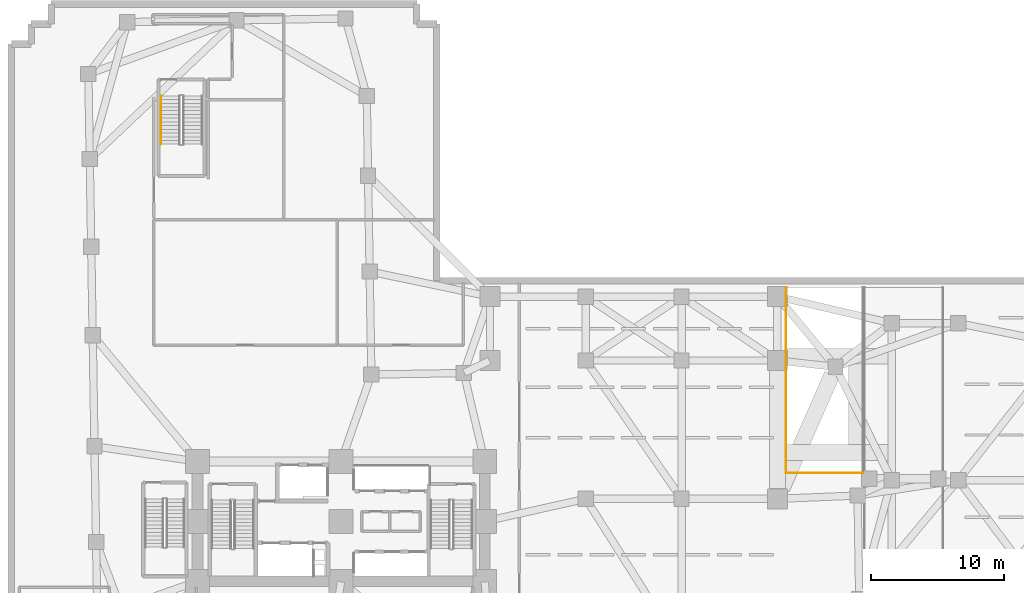
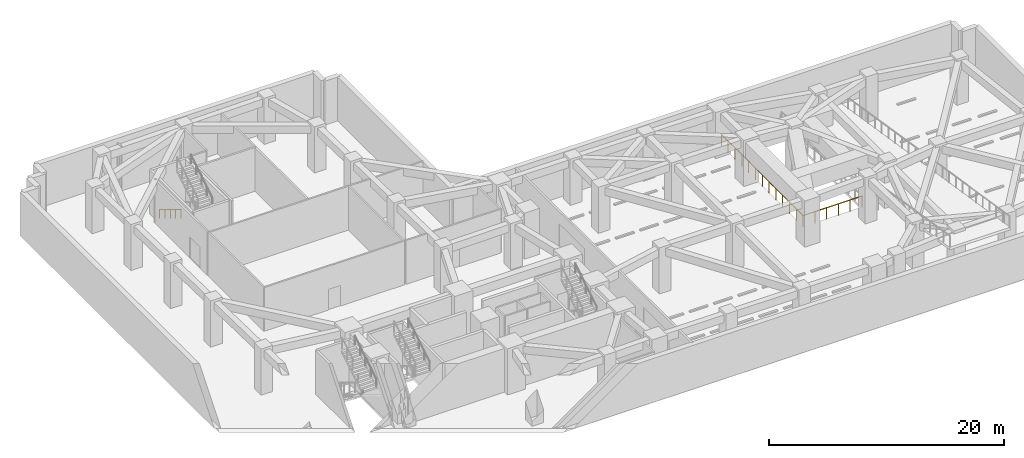
# One storey, part 9 of 11: 3 railings.
"""IFC4 building model written with IfcOpenShell, lengths in metres."""

from ifc_helpers import new_model, si_unit, direction, frame, origin, origin_2d, place, context, subcontext, project, spatial, circle, extrude, material, type_object, element, save


model = new_model("IFC4")

# Units and contexts
model_context = context("Model", 3, precision=1e-05, world=origin(), true_north=direction((0.0, 1.0)))
body_context = subcontext(model_context, "Body", "Model", "MODEL_VIEW")
ifc_project = project(units=[si_unit("LENGTHUNIT", "METRE"), si_unit("AREAUNIT", "SQUARE_METRE"), si_unit("VOLUMEUNIT", "CUBIC_METRE"), si_unit("PLANEANGLEUNIT", "RADIAN"), si_unit("MASSUNIT", "GRAM", prefix="KILO")], contexts=[model_context])

# Site, building, storey
site_placement = place(None, origin())
site = spatial("IfcSite", under=ifc_project, at=site_placement, CompositionType="ELEMENT")
building_placement = place(site_placement, origin())
building = spatial("IfcBuilding", under=site, at=building_placement, Name="Gaonmaruhae Medical Tower", CompositionType="ELEMENT")
storey_placement = place(building_placement, frame((0.0, 0.0, -4.800048828125)))
storey = spatial("IfcBuildingStorey", under=building, at=storey_placement, Name="B01", CompositionType="ELEMENT", Elevation=-4.800048828125)

# Railings
ifc_material_1 = material(Name="Stainless steel 304 handrail", Category="steel")
railing_type_1 = type_object("IfcRailingType", Name="HR-092 Continuous Stainless Steel Stair Handrail", PredefinedType="HANDRAIL", material=ifc_material_1)
railing_1_placement = place(storey_placement, frame((11.25, 44.300048828125, 0.17138671875)))
element("IfcRailing", 1, at=railing_1_placement, inside=storey, type_object=railing_type_1, Name="B01 ST-05 stair handrail 1", PredefinedType="HANDRAIL", context=body_context, shape_type="SweptSolid", body=[
    extrude(circle(Radius=0.02392578125, at=origin_2d()), frame((0.0, 0.0, 0.8759765625), z_axis=(0.0, -0.852840387347, 0.522171689878), x_axis=(1.0, 0.0, 0.0)), (0.0, 0.0, 1.0), 4.268310546875),
    extrude(circle(Radius=0.02099609375, at=origin_2d()), origin(), (0.0, 0.0, 1.0), 0.851806640625),
    extrude(circle(Radius=0.02099609375, at=origin_2d()), frame((0.0, -0.91015625, 0.55712890625)), (0.0, 0.0, 1.0), 0.851806640625),
    extrude(circle(Radius=0.02099609375, at=origin_2d()), frame((0.0, -1.820068359375, 1.1142578125)), (0.0, 0.0, 1.0), 0.851806640625),
    extrude(circle(Radius=0.02099609375, at=origin_2d()), frame((0.0, -2.72998046875, 1.671630859375)), (0.0, 0.0, 1.0), 0.851806640625),
    extrude(circle(Radius=0.02099609375, at=origin_2d()), frame((0.0, -3.64013671875, 2.228759765625)), (0.0, 0.0, 1.0), 0.851806640625),
])
ifc_material_2 = material(Name="Stainless steel 304 balustrade", Category="steel")
railing_type_2 = type_object("IfcRailingType", Name="SG-112 Stair Well & Ramp Void Safety Balustrade", PredefinedType="BALUSTRADE", material=ifc_material_2)
railing_2_placement = place(storey_placement, frame((58.25, 29.8798828125, 0.0)))
element("IfcRailing", 2, at=railing_2_placement, inside=storey, type_object=railing_type_2, Name="B01 Ramp Void Deck Guard 1", PredefinedType="BALUSTRADE", context=body_context, shape_type="SweptSolid", body=[
    extrude(circle(Radius=0.02392578125, at=origin_2d()), frame((0.0, 0.0, 1.17578125), z_axis=(0.0, -1.0, 0.0), x_axis=(1.0, 0.0, 0.0)), (0.0, 0.0, 1.0), 13.929931640625),
    extrude(circle(Radius=0.02099609375, at=origin_2d()), origin(), (0.0, 0.0, 1.0), 1.15185546875),
    extrude(circle(Radius=0.02099609375, at=origin_2d()), frame((0.0, -1.160888671875, 0.0)), (0.0, 0.0, 1.0), 1.15185546875),
    extrude(circle(Radius=0.02099609375, at=origin_2d()), frame((0.0, -2.32177734375, 0.0)), (0.0, 0.0, 1.0), 1.15185546875),
    extrude(circle(Radius=0.02099609375, at=origin_2d()), frame((0.0, -3.482421875, 0.0)), (0.0, 0.0, 1.0), 1.15185546875),
    extrude(circle(Radius=0.02099609375, at=origin_2d()), frame((0.0, -4.643310546875, 0.0)), (0.0, 0.0, 1.0), 1.15185546875),
    extrude(circle(Radius=0.02099609375, at=origin_2d()), frame((0.0, -5.80419921875, 0.0)), (0.0, 0.0, 1.0), 1.15185546875),
    extrude(circle(Radius=0.02099609375, at=origin_2d()), frame((0.0, -6.96484375, 0.0)), (0.0, 0.0, 1.0), 1.15185546875),
    extrude(circle(Radius=0.02099609375, at=origin_2d()), frame((0.0, -8.125732421875, 0.0)), (0.0, 0.0, 1.0), 1.15185546875),
    extrude(circle(Radius=0.02099609375, at=origin_2d()), frame((0.0, -9.28662109375, 0.0)), (0.0, 0.0, 1.0), 1.15185546875),
    extrude(circle(Radius=0.02099609375, at=origin_2d()), frame((0.0, -10.447509765625, 0.0)), (0.0, 0.0, 1.0), 1.15185546875),
    extrude(circle(Radius=0.02099609375, at=origin_2d()), frame((0.0, -11.6083984375, 0.0)), (0.0, 0.0, 1.0), 1.15185546875),
    extrude(circle(Radius=0.02099609375, at=origin_2d()), frame((0.0, -12.76904296875, 0.0)), (0.0, 0.0, 1.0), 1.15185546875),
    extrude(circle(Radius=0.02099609375, at=origin_2d()), frame((0.0, -13.929931640625, 0.0)), (0.0, 0.0, 1.0), 1.15185546875),
])
railing_3_placement = place(storey_placement, frame((58.25, 15.949951171875, 0.0)))
element("IfcRailing", 3, at=railing_3_placement, inside=storey, type_object=railing_type_2, Name="B01 Ramp Void Deck Guard 2", PredefinedType="BALUSTRADE", context=body_context, shape_type="SweptSolid", body=[
    extrude(circle(Radius=0.02392578125, at=origin_2d()), frame((0.0, 0.0, 1.17578125), z_axis=(1.0, 0.0, 0.0), x_axis=(0.0, 1.0, 0.0)), (0.0, 0.0, 1.0), 5.800048828125),
    extrude(circle(Radius=0.02099609375, at=origin_2d()), origin(), (0.0, 0.0, 1.0), 1.15185546875),
    extrude(circle(Radius=0.02099609375, at=origin_2d()), frame((1.159912109375, 0.0, 0.0)), (0.0, 0.0, 1.0), 1.15185546875),
    extrude(circle(Radius=0.02099609375, at=origin_2d()), frame((2.320068359375, 0.0, 0.0)), (0.0, 0.0, 1.0), 1.15185546875),
    extrude(circle(Radius=0.02099609375, at=origin_2d()), frame((3.47998046875, 0.0, 0.0)), (0.0, 0.0, 1.0), 1.15185546875),
    extrude(circle(Radius=0.02099609375, at=origin_2d()), frame((4.64013671875, 0.0, 0.0)), (0.0, 0.0, 1.0), 1.15185546875),
    extrude(circle(Radius=0.02099609375, at=origin_2d()), frame((5.800048828125, 0.0, 0.0)), (0.0, 0.0, 1.0), 1.15185546875),
])

save(model, "model.ifc")
